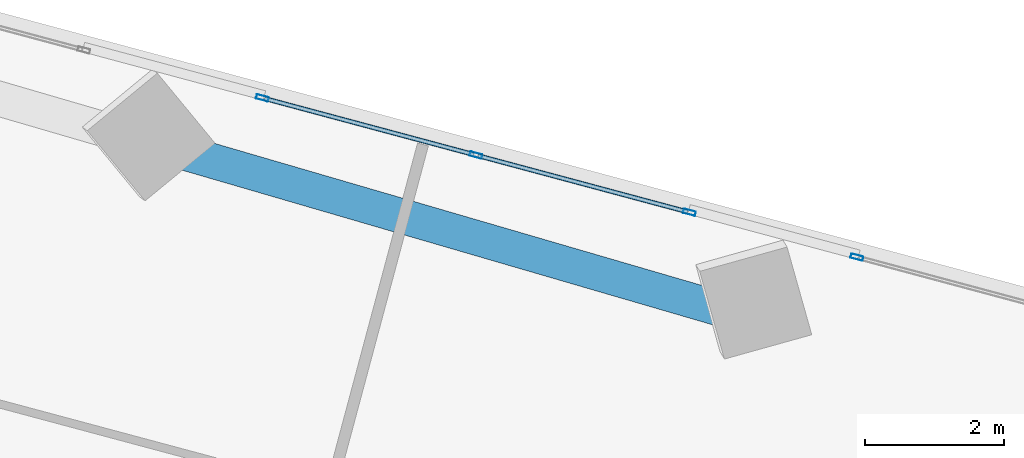
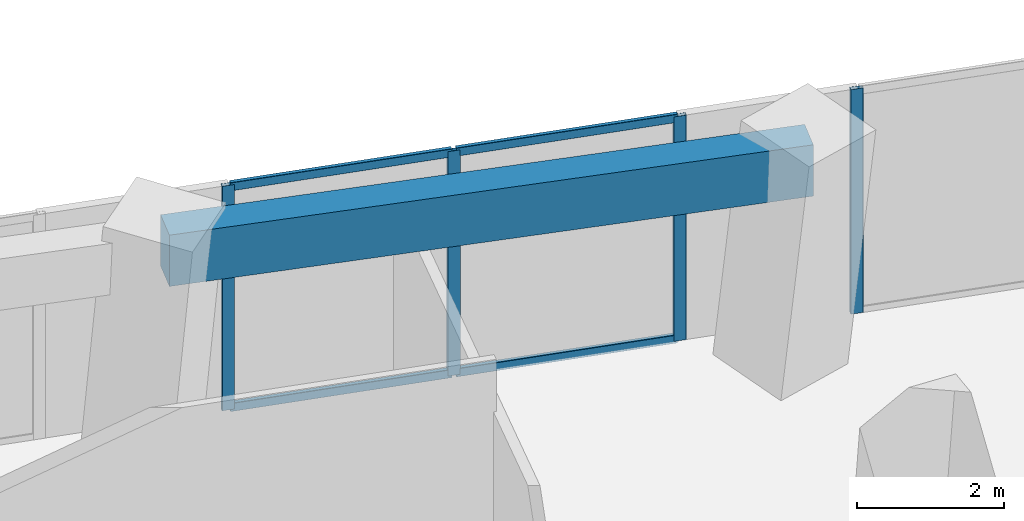
# One storey, part 16 of 26: 8 members, 1 beam, 2 elements without a shape of their own.
"""IFC4 building model written with IfcOpenShell, lengths in metres."""

from ifc_helpers import new_model, si_unit, direction, frame, origin, origin_2d, place, context, subcontext, project, spatial, rectangle, hollow_rectangle, extrude, source, transform, mapped, material, material_profile, profile_set, type_object, element, aggregate, save


model = new_model("IFC4")

# Units and contexts
model_context = context("Model", 3, precision=1e-05, world=origin(), true_north=direction((0.0, 1.0)))
body_context = subcontext(model_context, "Body", "Model", "MODEL_VIEW")
ifc_project = project(units=[si_unit("LENGTHUNIT", "METRE"), si_unit("AREAUNIT", "SQUARE_METRE"), si_unit("VOLUMEUNIT", "CUBIC_METRE"), si_unit("PLANEANGLEUNIT", "RADIAN"), si_unit("MASSUNIT", "GRAM", prefix="KILO")], contexts=[model_context])

# Site, building, storey
site_placement = place(None, origin())
site = spatial("IfcSite", under=ifc_project, at=site_placement, CompositionType="ELEMENT")
building_placement = place(site_placement, origin())
building = spatial("IfcBuilding", under=site, at=building_placement, Name="Torre Montelarca", CompositionType="ELEMENT")
storey_placement = place(building_placement, frame((0.0, 0.0, 104.199951171875)))
storey = spatial("IfcBuildingStorey", under=building, at=storey_placement, Name="L23", CompositionType="ELEMENT", Elevation=104.199951171875)

# Beam
ifc_material_1 = material(Name="Concrete C55/67", Category="concrete")
ifc_material_profile_1 = material_profile(ifc_material_1, rectangle(XDim=0.5, YDim=0.85009765625, at=origin_2d()), Name="RCB500X850", Category="concrete")
ifc_profile_set_1 = profile_set([ifc_material_profile_1], Name="Concrete C55/67")
beam_type = type_object("IfcBeamType", Name="BM-SP-RC850-EXT", PredefinedType="SPANDREL", material=ifc_profile_set_1)
shared_shape_1 = source(origin(), body_context, "Body", "SweptSolid", [
    extrude(rectangle(XDim=0.5, YDim=0.85009765625, at=origin_2d()), origin(), (0.0, 0.0, 1.0), 9.0),
])
beam_placement = place(storey_placement, frame((31.019775390625, 45.005615234375, 3.53515625), z_axis=(0.960053758977, -0.279815617639, 0.0), x_axis=(0.279815617639, 0.960053758977, 0.0)))
element("IfcBeam", 1, at=beam_placement, inside=storey, type_object=beam_type, Name="L23 Grid Girder X 27.0-36.0 at Y=47.1", PredefinedType="SPANDREL", context=body_context, shape_type="MappedRepresentation", body=[
    mapped(shared_shape_1, transform((0.0, 0.0, 0.0), scale=1.0)),
])

# Curtain wall, members
ifc_material_2 = material(Name="Insulated low-E laminated glass", Category="glass")
curtain_wall_type = type_object("IfcCurtainWallType", Name="CW-SYS-Z1", PredefinedType="USERDEFINED", material=ifc_material_2)
curtain_wall_1_placement = place(storey_placement, origin())
curtain_wall_1 = element("IfcCurtainWall", 2, at=curtain_wall_1_placement, inside=storey, type_object=curtain_wall_type, Name="L23 Curtain Wall Run CW-T3-L23-E08-B2", ObjectType="UNITISED GLAZING", PredefinedType="USERDEFINED")
ifc_material_3 = material(Name="Anodised aluminium AA 6063-T6", Category="aluminium")
ifc_material_profile_2 = material_profile(ifc_material_3, hollow_rectangle(XDim=0.06494140625, YDim=0.139892578125, WallThickness=0.00390625, InnerFilletRadius=0.00390625, OuterFilletRadius=0.008056640625, at=origin_2d()), Name="ALU65X140X4", Category="aluminium")
ifc_profile_set_2 = profile_set([ifc_material_profile_2], Name="Anodised aluminium AA 6063-T6")
member_type_1 = type_object("IfcMemberType", Name="CWT-ALU140", PredefinedType="USERDEFINED", material=ifc_profile_set_2)
shared_shape_2 = source(origin(), body_context, "Body", "SweptSolid", [
    extrude(hollow_rectangle(XDim=0.06494140625, YDim=0.139892578125, WallThickness=0.00390625, InnerFilletRadius=0.00390625, OuterFilletRadius=0.008056640625, at=origin_2d()), origin(), (0.0, 0.0, 1.0), 3.10791015625),
])
member_1_placement = place(storey_placement, frame((38.5107421875, 44.078857421875, 0.032470703125), z_axis=(-0.965919998594, 0.258840793377, 0.0), x_axis=(-0.258840793377, -0.965919998594, 0.0)))
member_1 = element("IfcMember", 3, at=member_1_placement, type_object=member_type_1, Name="CW transom 1.1", ObjectType="TRANSOM", PredefinedType="USERDEFINED", context=body_context, shape_type="MappedRepresentation", body=[
    mapped(shared_shape_2, transform((0.0, 0.0, 0.0), scale=1.0)),
])
member_2_placement = place(storey_placement, frame((38.5107421875, 44.078857421875, 3.6875), z_axis=(-0.965919998594, 0.258840793377, 0.0), x_axis=(-0.258840793377, -0.965919998594, 0.0)))
member_2 = element("IfcMember", 4, at=member_2_placement, type_object=member_type_1, Name="CW transom 1.2", ObjectType="TRANSOM", PredefinedType="USERDEFINED", context=body_context, shape_type="MappedRepresentation", body=[
    mapped(shared_shape_2, transform((0.0, 0.0, 0.0), scale=1.0)),
])
member_3_placement = place(storey_placement, frame((35.446044921875, 44.900146484375, 0.032470703125), z_axis=(-0.965919998594, 0.258840793377, 0.0), x_axis=(-0.258840793377, -0.965919998594, 0.0)))
member_3 = element("IfcMember", 5, at=member_3_placement, type_object=member_type_1, Name="CW transom 2.1", ObjectType="TRANSOM", PredefinedType="USERDEFINED", context=body_context, shape_type="MappedRepresentation", body=[
    mapped(shared_shape_2, transform((0.0, 0.0, 0.0), scale=1.0)),
])
member_4_placement = place(storey_placement, frame((35.446044921875, 44.900146484375, 3.6875), z_axis=(-0.965919998594, 0.258840793377, 0.0), x_axis=(-0.258840793377, -0.965919998594, 0.0)))
member_4 = element("IfcMember", 6, at=member_4_placement, type_object=member_type_1, Name="CW transom 2.2", ObjectType="TRANSOM", PredefinedType="USERDEFINED", context=body_context, shape_type="MappedRepresentation", body=[
    mapped(shared_shape_2, transform((0.0, 0.0, 0.0), scale=1.0)),
])

# Curtain wall, member
curtain_wall_2_placement = place(storey_placement, origin())
curtain_wall_2 = element("IfcCurtainWall", 7, at=curtain_wall_2_placement, inside=storey, type_object=curtain_wall_type, Name="L23 Curtain Wall Run CW-T3-L23-E08-B1", ObjectType="UNITISED GLAZING", PredefinedType="USERDEFINED")
ifc_material_profile_3 = material_profile(ifc_material_3, hollow_rectangle(XDim=0.06494140625, YDim=0.179931640625, WallThickness=0.00390625, InnerFilletRadius=0.00390625, OuterFilletRadius=0.008056640625, at=origin_2d()), Name="ALU65X180X4", Category="aluminium")
ifc_profile_set_3 = profile_set([ifc_material_profile_3], Name="Anodised aluminium AA 6063-T6")
member_type_2 = type_object("IfcMemberType", Name="CWM-ALU180", PredefinedType="MULLION", material=ifc_profile_set_3)
shared_shape_3 = source(origin(), body_context, "Body", "SweptSolid", [
    extrude(hollow_rectangle(XDim=0.06494140625, YDim=0.179931640625, WallThickness=0.00390625, InnerFilletRadius=0.00390625, OuterFilletRadius=0.008056640625, at=origin_2d()), origin(), (0.0, 0.0, 1.0), 3.719970703125),
])
member_5_placement = place(storey_placement, frame((40.946044921875, 43.42626953125, 0.0), z_axis=(0.0, 0.0, 1.0), x_axis=(-0.258819830038, -0.965925615966, 0.0)))
member_5 = element("IfcMember", 8, at=member_5_placement, type_object=member_type_2, Name="CW mullion 3", PredefinedType="MULLION", context=body_context, shape_type="MappedRepresentation", body=[
    mapped(shared_shape_3, transform((0.0, 0.0, 0.0), scale=1.0)),
])
aggregate(curtain_wall_2, [member_5])

# Member
member_6_placement = place(storey_placement, frame((38.542236328125, 44.070556640625, 0.0), z_axis=(0.0, 0.0, 1.0), x_axis=(-0.258815874642, -0.965926675806, 0.0)))
member_6 = element("IfcMember", 9, at=member_6_placement, type_object=member_type_2, Name="CW mullion 1", PredefinedType="MULLION", context=body_context, shape_type="MappedRepresentation", body=[
    mapped(shared_shape_3, transform((0.0, 0.0, 0.0), scale=1.0)),
])

member_7_placement = place(storey_placement, frame((35.4775390625, 44.8916015625, 0.0), z_axis=(0.0, 0.0, 1.0), x_axis=(-0.258815874642, -0.965926675806, 0.0)))
member_7 = element("IfcMember", 10, at=member_7_placement, type_object=member_type_2, Name="CW mullion 2", PredefinedType="MULLION", context=body_context, shape_type="MappedRepresentation", body=[
    mapped(shared_shape_3, transform((0.0, 0.0, 0.0), scale=1.0)),
])

member_8_placement = place(storey_placement, frame((32.41259765625, 45.712890625, 0.0), z_axis=(0.0, 0.0, 1.0), x_axis=(-0.258815874642, -0.965926675806, 0.0)))
member_8 = element("IfcMember", 11, at=member_8_placement, type_object=member_type_2, Name="CW mullion 3", PredefinedType="MULLION", context=body_context, shape_type="MappedRepresentation", body=[
    mapped(shared_shape_3, transform((0.0, 0.0, 0.0), scale=1.0)),
])

aggregate(curtain_wall_1, [member_6, member_7, member_8, member_1, member_2, member_3, member_4])

save(model, "model.ifc")
